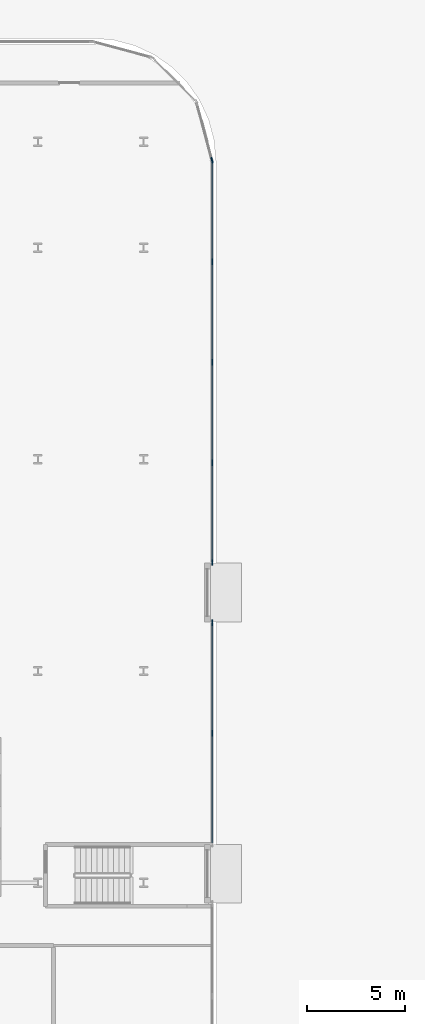
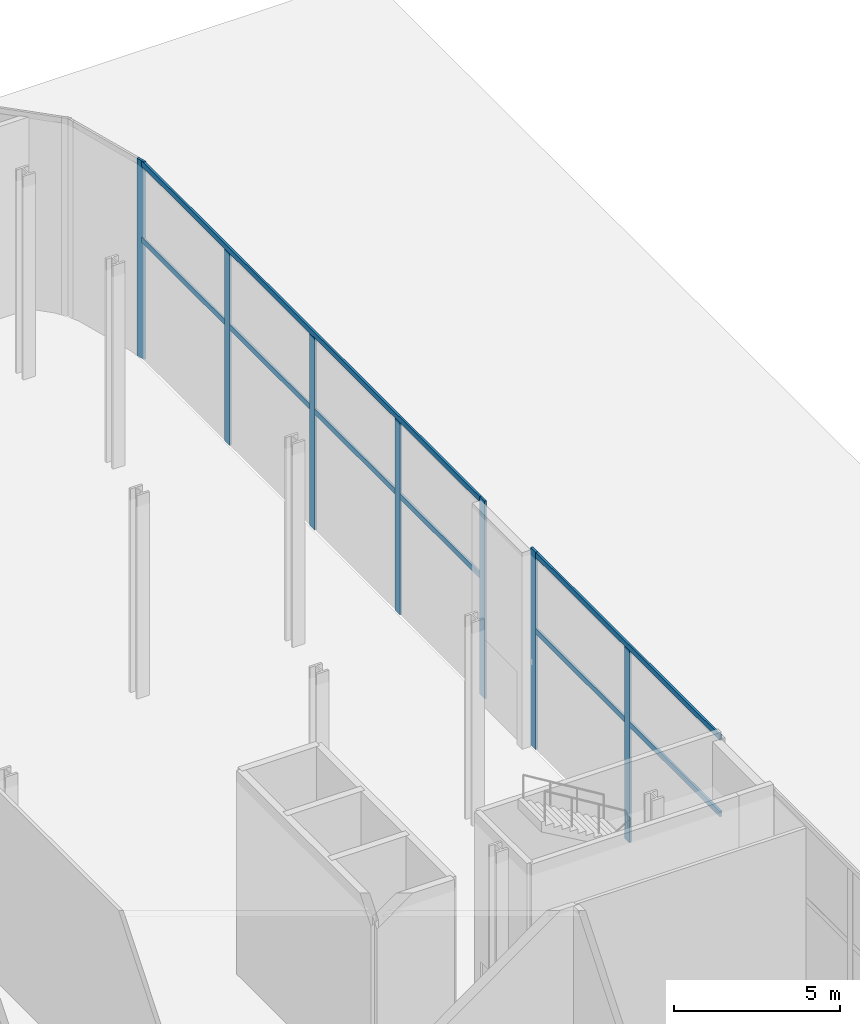
# One storey, part 14 of 46: 11 members, 3 elements without a shape of their own.
"""IFC4 building model written with IfcOpenShell, lengths in metres."""

from ifc_helpers import new_model, si_unit, direction, frame, origin, origin_2d, place, context, subcontext, project, spatial, rectangle, extrude, material, layer, layer_set, material_profile, profile_set, type_object, element, aggregate, save


model = new_model("IFC4")

# Units and contexts
model_context = context("Model", 3, precision=1e-05, world=origin(), true_north=direction((0.0, 1.0)))
body_context = subcontext(model_context, "Body", "Model", "MODEL_VIEW")
ifc_project = project(units=[si_unit("LENGTHUNIT", "METRE"), si_unit("AREAUNIT", "SQUARE_METRE"), si_unit("VOLUMEUNIT", "CUBIC_METRE"), si_unit("PLANEANGLEUNIT", "RADIAN"), si_unit("MASSUNIT", "GRAM", prefix="KILO")], contexts=[model_context])

# Site, building, storey
site_placement = place(None, origin())
site = spatial("IfcSite", under=ifc_project, at=site_placement, CompositionType="ELEMENT")
building_placement = place(site_placement, origin())
building = spatial("IfcBuilding", under=site, at=building_placement, Name="Kheshtan School and Residences Tower", CompositionType="ELEMENT")
storey_placement = place(building_placement, origin())
storey = spatial("IfcBuildingStorey", under=building, at=storey_placement, Name="L00", CompositionType="ELEMENT", Elevation=0.0)

# Curtain wall, member
ifc_material_1 = material(Name="Clear low-e glass in thermally broken aluminium frame", Category="aluminium")
ifc_layer = layer(ifc_material_1, 0.300048828125)
ifc_layer_set = layer_set([ifc_layer], Name="Curtain wall CW-A")
curtain_wall_type = type_object("IfcCurtainWallType", Name="Curtain wall CW-A", PredefinedType="NOTDEFINED", material=ifc_layer_set)
curtain_wall_1_placement = place(storey_placement, origin())
curtain_wall_1 = element("IfcCurtainWall", 1, at=curtain_wall_1_placement, inside=storey, type_object=curtain_wall_type, Name="Curtain wall CWA7", PredefinedType="NOTDEFINED")
ifc_material_2 = material(Name="Thermally broken aluminium, dark bronze anodised", Category="aluminium")
ifc_material_profile_1 = material_profile(ifc_material_2, rectangle(XDim=0.074951171875, YDim=0.300048828125, at=origin_2d()), Name="CW-A mullion 75x300")
ifc_profile_set_1 = profile_set([ifc_material_profile_1], Name="Thermally broken aluminium, dark bronze anodised")
member_type_1 = type_object("IfcMemberType", Name="CW-A mullion 75x300", PredefinedType="MULLION", material=ifc_profile_set_1)
member_1_placement = place(storey_placement, frame((132.0869140625, 104.06201171875, 0.0), z_axis=(0.0, 0.0, 1.0), x_axis=(0.965913556273, 0.258864833085, 0.0)))
member_1 = element("IfcMember", 2, at=member_1_placement, type_object=member_type_1, Name="CWA7 mullion 2", PredefinedType="MULLION", context=body_context, shape_type="SweptSolid", body=[
    extrude(rectangle(XDim=0.074951171875, YDim=0.300048828125, at=origin_2d()), origin(), (0.0, 0.0, 1.0), 7.25),
])
aggregate(curtain_wall_1, [member_1])

# Curtain wall, members
curtain_wall_2_placement = place(storey_placement, origin())
curtain_wall_2 = element("IfcCurtainWall", 3, at=curtain_wall_2_placement, inside=storey, type_object=curtain_wall_type, Name="Curtain wall CWA8", PredefinedType="NOTDEFINED")
member_2_placement = place(storey_placement, frame((132.10009765625, 98.875, 0.0), z_axis=(0.0, 0.0, 1.0), x_axis=(1.0, 0.0, 0.0)))
member_2 = element("IfcMember", 4, at=member_2_placement, type_object=member_type_1, Name="CWA8 mullion 2", PredefinedType="MULLION", context=body_context, shape_type="SweptSolid", body=[
    extrude(rectangle(XDim=0.074951171875, YDim=0.300048828125, at=origin_2d()), origin(), (0.0, 0.0, 1.0), 7.050048828125),
])
member_3_placement = place(storey_placement, frame((132.10009765625, 93.75, 0.0), z_axis=(0.0, 0.0, 1.0), x_axis=(1.0, 0.0, 0.0)))
member_3 = element("IfcMember", 5, at=member_3_placement, type_object=member_type_1, Name="CWA8 mullion 3", PredefinedType="MULLION", context=body_context, shape_type="SweptSolid", body=[
    extrude(rectangle(XDim=0.074951171875, YDim=0.300048828125, at=origin_2d()), origin(), (0.0, 0.0, 1.0), 7.050048828125),
])
member_4_placement = place(storey_placement, frame((132.10009765625, 88.625, 0.0), z_axis=(0.0, 0.0, 1.0), x_axis=(1.0, 0.0, 0.0)))
member_4 = element("IfcMember", 6, at=member_4_placement, type_object=member_type_1, Name="CWA8 mullion 4", PredefinedType="MULLION", context=body_context, shape_type="SweptSolid", body=[
    extrude(rectangle(XDim=0.074951171875, YDim=0.300048828125, at=origin_2d()), origin(), (0.0, 0.0, 1.0), 7.050048828125),
])
member_5_placement = place(storey_placement, frame((132.10009765625, 83.53759765625, 0.0), z_axis=(0.0, 0.0, 1.0), x_axis=(1.0, 0.0, 0.0)))
member_5 = element("IfcMember", 7, at=member_5_placement, type_object=member_type_1, Name="CWA8 mullion 5", PredefinedType="MULLION", context=body_context, shape_type="SweptSolid", body=[
    extrude(rectangle(XDim=0.074951171875, YDim=0.300048828125, at=origin_2d()), origin(), (0.0, 0.0, 1.0), 7.25),
])

curtain_wall_3_placement = place(storey_placement, origin())
curtain_wall_3 = element("IfcCurtainWall", 8, at=curtain_wall_3_placement, inside=storey, type_object=curtain_wall_type, Name="Curtain wall CWA8a", PredefinedType="NOTDEFINED")
member_6_placement = place(storey_placement, frame((132.10009765625, 80.46240234375, 0.0), z_axis=(0.0, 0.0, 1.0), x_axis=(1.0, 0.0, 0.0)))
member_6 = element("IfcMember", 9, at=member_6_placement, type_object=member_type_1, Name="CWA8a mullion 1", PredefinedType="MULLION", context=body_context, shape_type="SweptSolid", body=[
    extrude(rectangle(XDim=0.074951171875, YDim=0.300048828125, at=origin_2d()), origin(), (0.0, 0.0, 1.0), 7.25),
])
member_7_placement = place(storey_placement, frame((132.10009765625, 74.830078125, 0.0), z_axis=(0.0, 0.0, 1.0), x_axis=(1.0, 0.0, 0.0)))
member_7 = element("IfcMember", 10, at=member_7_placement, type_object=member_type_1, Name="CWA8a mullion 2", PredefinedType="MULLION", context=body_context, shape_type="SweptSolid", body=[
    extrude(rectangle(XDim=0.074951171875, YDim=0.300048828125, at=origin_2d()), origin(), (0.0, 0.0, 1.0), 7.050048828125),
])

# Member
ifc_material_profile_2 = material_profile(ifc_material_2, rectangle(XDim=0.074951171875, YDim=0.199951171875, at=origin_2d()), Name="CW-A transom 75x200")
ifc_profile_set_2 = profile_set([ifc_material_profile_2], Name="Thermally broken aluminium, dark bronze anodised")
member_type_2 = type_object("IfcMemberType", Name="CW-A transom 75x200", PredefinedType="USERDEFINED", material=ifc_profile_set_2)
member_8_placement = place(storey_placement, frame((132.10009765625, 104.024658203125, 4.35009765625), z_axis=(0.0, -1.0, 0.0), x_axis=(1.0, 0.0, 0.0)))
member_8 = element("IfcMember", 11, at=member_8_placement, type_object=member_type_2, Name="CWA8 transom 1", ObjectType="TRANSOM", PredefinedType="USERDEFINED", context=body_context, shape_type="SweptSolid", body=[
    extrude(rectangle(XDim=0.074951171875, YDim=0.199951171875, at=origin_2d()), origin(), (0.0, 0.0, 1.0), 20.44970703125),
])

member_9_placement = place(storey_placement, frame((132.10009765625, 104.024658203125, 7.14990234375), z_axis=(0.0, -1.0, 0.0), x_axis=(1.0, 0.0, 0.0)))
member_9 = element("IfcMember", 12, at=member_9_placement, type_object=member_type_2, Name="CWA8 transom 2", ObjectType="TRANSOM", PredefinedType="USERDEFINED", context=body_context, shape_type="SweptSolid", body=[
    extrude(rectangle(XDim=0.074951171875, YDim=0.199951171875, at=origin_2d()), origin(), (0.0, 0.0, 1.0), 20.44970703125),
])

aggregate(curtain_wall_2, [member_2, member_3, member_4, member_5, member_8, member_9])

member_10_placement = place(storey_placement, frame((132.10009765625, 80.425048828125, 4.35009765625), z_axis=(0.0, -1.0, 0.0), x_axis=(1.0, 0.0, 0.0)))
member_10 = element("IfcMember", 13, at=member_10_placement, type_object=member_type_2, Name="CWA8a transom 1", ObjectType="TRANSOM", PredefinedType="USERDEFINED", context=body_context, shape_type="SweptSolid", body=[
    extrude(rectangle(XDim=0.074951171875, YDim=0.199951171875, at=origin_2d()), origin(), (0.0, 0.0, 1.0), 11.18994140625),
])

member_11_placement = place(storey_placement, frame((132.10009765625, 80.425048828125, 7.14990234375), z_axis=(0.0, -1.0, 0.0), x_axis=(1.0, 0.0, 0.0)))
member_11 = element("IfcMember", 14, at=member_11_placement, type_object=member_type_2, Name="CWA8a transom 2", ObjectType="TRANSOM", PredefinedType="USERDEFINED", context=body_context, shape_type="SweptSolid", body=[
    extrude(rectangle(XDim=0.074951171875, YDim=0.199951171875, at=origin_2d()), origin(), (0.0, 0.0, 1.0), 11.18994140625),
])

aggregate(curtain_wall_3, [member_6, member_7, member_10, member_11])

save(model, "model.ifc")
